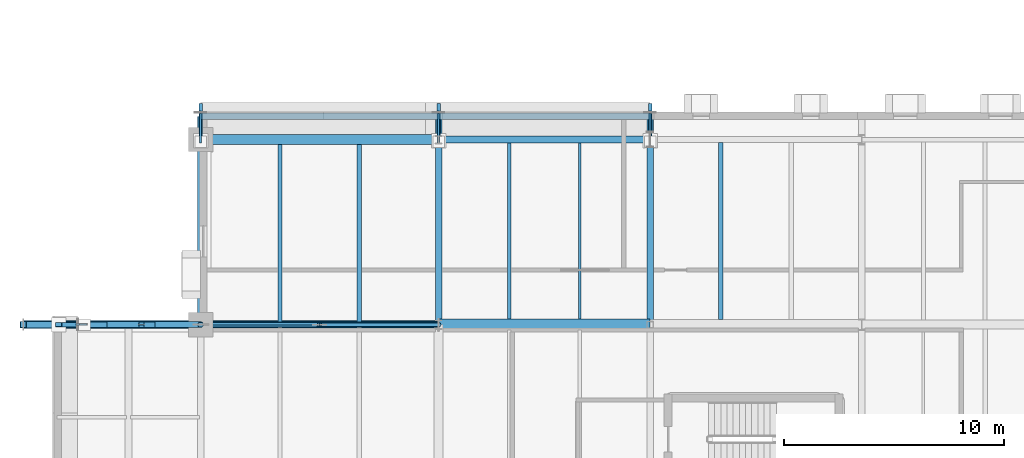
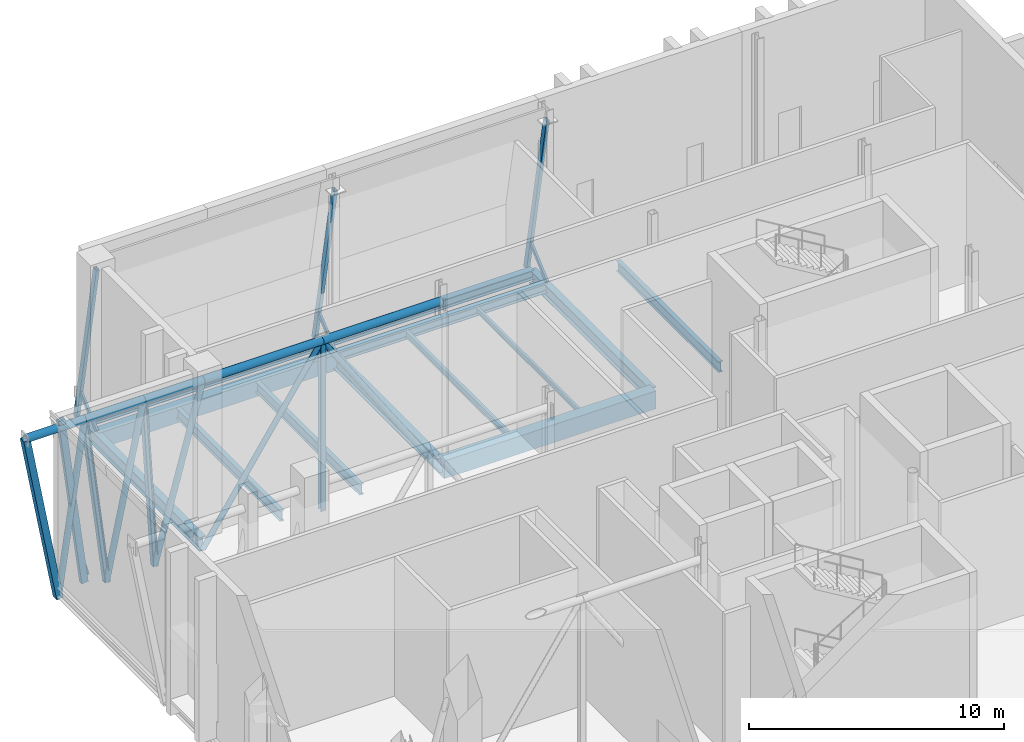
# One storey, part 22 of 79: 22 members, 13 beams.
"""IFC4 building model written with IfcOpenShell, lengths in metres."""

from ifc_helpers import new_model, si_unit, direction, frame, origin, origin_2d, place, context, subcontext, project, spatial, rectangle, hollow_rectangle, hollow_circle, i_section, extrude, material, material_profile, profile_set, type_object, element, save


model = new_model("IFC4")

# Units and contexts
model_context = context("Model", 3, precision=1e-05, world=origin(), true_north=direction((0.0, 1.0)))
body_context = subcontext(model_context, "Body", "Model", "MODEL_VIEW")
ifc_project = project(units=[si_unit("LENGTHUNIT", "METRE"), si_unit("AREAUNIT", "SQUARE_METRE"), si_unit("VOLUMEUNIT", "CUBIC_METRE"), si_unit("PLANEANGLEUNIT", "RADIAN"), si_unit("MASSUNIT", "GRAM", prefix="KILO")], contexts=[model_context])

# Site, building, storey
site_placement = place(None, origin())
site = spatial("IfcSite", under=ifc_project, at=site_placement, CompositionType="ELEMENT")
building_placement = place(site_placement, origin())
building = spatial("IfcBuilding", under=site, at=building_placement, Name="Zereglee Splitstone Museum", CompositionType="ELEMENT")
storey_placement = place(building_placement, frame((0.0, 0.0, 9.0)))
storey = spatial("IfcBuildingStorey", under=building, at=storey_placement, Name="L02", CompositionType="ELEMENT", Elevation=9.0)

# Beam
ifc_material_1 = material(Name="Concrete C40/50", Category="concrete")
ifc_material_profile_1 = material_profile(ifc_material_1, rectangle(XDim=0.5, YDim=0.85009765625, at=origin_2d()), Name="RC 500x850")
ifc_profile_set_1 = profile_set([ifc_material_profile_1], Name="Concrete C40/50")
beam_type_1 = type_object("IfcBeamType", Name="BG-02", PredefinedType="BEAM", material=ifc_profile_set_1)
beam_1_placement = place(storey_placement, frame((20.39990234375, 30.0, -0.7451171875), z_axis=(1.0, 0.0, 0.0), x_axis=(0.0, 1.0, 0.0)))
element("IfcBeam", 1, at=beam_1_placement, inside=storey, type_object=beam_type_1, Name="Primary Girder L02 D (20.4-30.0)", PredefinedType="BEAM", context=body_context, shape_type="SweptSolid", body=[
    extrude(rectangle(XDim=0.5, YDim=0.85009765625, at=origin_2d()), origin(), (0.0, 0.0, 1.0), 9.60009765625),
])

# Members
ifc_material_2 = material(Name="Steel S355J2H", Category="steel")
ifc_material_profile_2 = material_profile(ifc_material_2, hollow_circle(Radius=0.122314453125, WallThickness=0.012451171875, at=origin_2d()), Name="CHS 244.5x12.5")
ifc_profile_set_2 = profile_set([ifc_material_profile_2], Name="Steel S355J2H")
member_type_1 = type_object("IfcMemberType", Name="TB-02", PredefinedType="BRACE", material=ifc_profile_set_2)
for number, where, z_axis, x_axis, name in (
    (2, (9.60009765625, 30.0, -0.89990234375), (0.554700196225, 0.0, 0.832050294338), (0.0, 1.0, 0.0), "Cantilever Truss CT-04 Web Brace L02-4"),
    (3, (20.39990234375, 30.0, -0.89990234375), (-0.554700196225, 0.0, 0.832050294338), (0.0, -1.0, 0.0), "Cantilever Truss CT-04 Web Brace L02-5"),
):
    element("IfcMember", number, at=place(storey_placement, frame(where, z_axis=z_axis, x_axis=x_axis)), inside=storey, type_object=member_type_1, Name=name, PredefinedType="BRACE", context=body_context, shape_type="SweptSolid", body=[
        extrude(hollow_circle(Radius=0.122314453125, WallThickness=0.012451171875, at=origin_2d()), origin(), (0.0, 0.0, 1.0), 9.73486328125),
    ])
ifc_material_profile_3 = material_profile(ifc_material_2, hollow_circle(Radius=0.136474609375, WallThickness=0.012451171875, at=origin_2d()), Name="CHS 273.0x12.5")
ifc_profile_set_3 = profile_set([ifc_material_profile_3], Name="Steel S355J2H")
member_type_2 = type_object("IfcMemberType", Name="TB-01", PredefinedType="BRACE", material=ifc_profile_set_3)
member_1_placement = place(storey_placement, frame((3.050048828125, 30.0, -0.89990234375), z_axis=(0.144560595225, 0.0, 0.989495949617), x_axis=(0.0, 1.0, 0.0)))
element("IfcMember", 4, at=member_1_placement, inside=storey, type_object=member_type_2, Name="Cantilever Truss CT-04 Web Brace L02-1", PredefinedType="BRACE", context=body_context, shape_type="SweptSolid", body=[
    extrude(hollow_circle(Radius=0.136474609375, WallThickness=0.012451171875, at=origin_2d()), origin(), (0.0, 0.0, 1.0), 8.185791015625),
])
member_2_placement = place(storey_placement, frame((5.2333984375, 30.0, -0.89990234375), z_axis=(0.203476950416, 0.0, 0.979079736615), x_axis=(0.0, 1.0, 0.0)))
element("IfcMember", 5, at=member_2_placement, inside=storey, type_object=member_type_2, Name="Cantilever Truss CT-04 Web Brace L02-2", PredefinedType="BRACE", context=body_context, shape_type="SweptSolid", body=[
    extrude(hollow_circle(Radius=0.136474609375, WallThickness=0.012451171875, at=origin_2d()), origin(), (0.0, 0.0, 1.0), 8.27294921875),
])
member_3_placement = place(storey_placement, frame((7.416748046875, 30.0, -0.89990234375), z_axis=(0.260264648301, 0.0, 0.965537318204), x_axis=(0.0, 1.0, 0.0)))
element("IfcMember", 6, at=member_3_placement, inside=storey, type_object=member_type_2, Name="Cantilever Truss CT-04 Web Brace L02-3", PredefinedType="BRACE", context=body_context, shape_type="SweptSolid", body=[
    extrude(hollow_circle(Radius=0.136474609375, WallThickness=0.012451171875, at=origin_2d()), origin(), (0.0, 0.0, 1.0), 8.388916015625),
])
ifc_material_profile_4 = material_profile(ifc_material_2, hollow_circle(Radius=0.177734375, WallThickness=0.01611328125, at=origin_2d()), Name="CHS 355.6x16")
ifc_profile_set_4 = profile_set([ifc_material_profile_4], Name="Steel S355J2H")
member_type_3 = type_object("IfcMemberType", Name="TC-04", PredefinedType="CHORD", material=ifc_profile_set_4)
for number, where, z_axis, x_axis, name in (
    (7, (1.550048828125, 30.0, 7.199951171875), (1.0, 0.0, 0.0), (0.0, 1.0, 0.0), "Cantilever Truss CT-04 Top Chord L02-1"),
    (8, (4.2333984375, 30.0, 7.199951171875), (1.0, 0.0, 0.0), (0.0, 1.0, 0.0), "Cantilever Truss CT-04 Top Chord L02-2"),
    (9, (6.916748046875, 30.0, 7.199951171875), (1.0, 0.0, 0.0), (0.0, 1.0, 0.0), "Cantilever Truss CT-04 Top Chord L02-3"),
):
    element("IfcMember", number, at=place(storey_placement, frame(where, z_axis=z_axis, x_axis=x_axis)), inside=storey, type_object=member_type_3, Name=name, PredefinedType="CHORD", context=body_context, shape_type="SweptSolid", body=[
        extrude(hollow_circle(Radius=0.177734375, WallThickness=0.01611328125, at=origin_2d()), origin(), (0.0, 0.0, 1.0), 2.683349609375),
    ])
for number, where, z_axis, x_axis, name in (
    (10, (9.60009765625, 30.0, 7.199951171875), (1.0, 0.0, 0.0), (0.0, 1.0, 0.0), "Cantilever Truss CT-04 Top Chord L02-4"),
    (11, (15.0, 30.0, 7.199951171875), (1.0, 0.0, 0.0), (0.0, 1.0, 0.0), "Cantilever Truss CT-04 Top Chord L02-5"),
):
    element("IfcMember", number, at=place(storey_placement, frame(where, z_axis=z_axis, x_axis=x_axis)), inside=storey, type_object=member_type_3, Name=name, PredefinedType="CHORD", context=body_context, shape_type="SweptSolid", body=[
        extrude(hollow_circle(Radius=0.177734375, WallThickness=0.01611328125, at=origin_2d()), origin(), (0.0, 0.0, 1.0), 5.39990234375),
    ])

# Beams
ifc_material_3 = material(Name="Steel S355J2", Category="steel")
ifc_material_profile_5 = material_profile(ifc_material_3, i_section(OverallWidth=0.300048828125, OverallDepth=0.64990234375, WebThickness=0.01611328125, FlangeThickness=0.031005859375, FilletRadius=0.027099609375, at=origin_2d()), Name="HE 650 B")
ifc_profile_set_5 = profile_set([ifc_material_profile_5], Name="Steel S355J2")
beam_type_2 = type_object("IfcBeamType", Name="BG-09", PredefinedType="BEAM", material=ifc_profile_set_5)
for number, where, z_axis, x_axis, name in (
    (12, (9.60009765625, 30.0, -0.64501953125), (0.0, 1.0, 0.0), (-1.0, 0.0, 0.0), "Primary Girder L02 2 (30.0-39.5)"),
    (13, (20.39990234375, 30.0, -0.64501953125), (0.0, 1.0, 0.0), (-1.0, 0.0, 0.0), "Primary Girder L02 4 (30.0-39.5)"),
    (14, (30.0, 30.0, -0.64501953125), (0.0, 1.0, 0.0), (-1.0, 0.0, 0.0), "Primary Girder L02 5 (30.0-39.5)"),
):
    element("IfcBeam", number, at=place(storey_placement, frame(where, z_axis=z_axis, x_axis=x_axis)), inside=storey, type_object=beam_type_2, Name=name, PredefinedType="BEAM", context=body_context, shape_type="SweptSolid", body=[
        extrude(i_section(OverallWidth=0.300048828125, OverallDepth=0.64990234375, WebThickness=0.01611328125, FlangeThickness=0.031005859375, FilletRadius=0.027099609375, at=origin_2d()), origin(), (0.0, 0.0, 1.0), 9.449951171875),
    ])
ifc_material_profile_6 = material_profile(ifc_material_3, i_section(OverallWidth=0.1201171875, OverallDepth=0.239990234375, WebThickness=0.006103515625, FlangeThickness=0.009765625, FilletRadius=0.014892578125, at=origin_2d()), Name="IPE 240")
ifc_profile_set_6 = profile_set([ifc_material_profile_6], Name="Steel S355J2")
beam_type_3 = type_object("IfcBeamType", Name="BJ-07", PredefinedType="JOIST", material=ifc_profile_set_6)
beam_2_placement = place(storey_placement, frame((26.800048828125, 30.25, -0.43994140625), z_axis=(0.0, 1.0, 0.0), x_axis=(-1.0, 0.0, 0.0)))
element("IfcBeam", 15, at=beam_2_placement, inside=storey, type_object=beam_type_3, Name="Secondary Floor Joist L02-1098", PredefinedType="JOIST", context=body_context, shape_type="SweptSolid", body=[
    extrude(i_section(OverallWidth=0.1201171875, OverallDepth=0.239990234375, WebThickness=0.006103515625, FlangeThickness=0.009765625, FilletRadius=0.014892578125, at=origin_2d()), origin(), (0.0, 0.0, 1.0), 8.0),
])
ifc_material_profile_7 = material_profile(ifc_material_3, i_section(OverallWidth=0.14990234375, OverallDepth=0.300048828125, WebThickness=0.007080078125, FlangeThickness=0.0107421875, FilletRadius=0.014892578125, at=origin_2d()), Name="IPE 300")
ifc_profile_set_7 = profile_set([ifc_material_profile_7], Name="Steel S355J2")
beam_type_4 = type_object("IfcBeamType", Name="BJ-06", PredefinedType="JOIST", material=ifc_profile_set_7)
beam_3_placement = place(storey_placement, frame((23.60009765625, 30.25, -0.469970703125), z_axis=(0.0, 1.0, 0.0), x_axis=(-1.0, 0.0, 0.0)))
element("IfcBeam", 16, at=beam_3_placement, inside=storey, type_object=beam_type_4, Name="Secondary Floor Joist L02-1097", PredefinedType="JOIST", context=body_context, shape_type="SweptSolid", body=[
    extrude(i_section(OverallWidth=0.14990234375, OverallDepth=0.300048828125, WebThickness=0.007080078125, FlangeThickness=0.0107421875, FilletRadius=0.014892578125, at=origin_2d()), origin(), (0.0, 0.0, 1.0), 8.0),
])
ifc_material_profile_8 = material_profile(ifc_material_3, i_section(OverallWidth=0.199951171875, OverallDepth=0.5, WebThickness=0.01025390625, FlangeThickness=0.01611328125, FilletRadius=0.02099609375, at=origin_2d()), Name="IPE 500")
ifc_profile_set_8 = profile_set([ifc_material_profile_8], Name="Steel S355J2")
beam_type_5 = type_object("IfcBeamType", Name="BJ-01", PredefinedType="JOIST", material=ifc_profile_set_8)
for number, where, z_axis, x_axis, name in (
    (17, (13.199951171875, 30.0, -0.570068359375), (0.0, 1.0, 0.0), (-1.0, 0.0, 0.0), "Secondary Floor Joist L02-1095"),
    (18, (16.800048828125, 30.0, -0.570068359375), (0.0, 1.0, 0.0), (-1.0, 0.0, 0.0), "Secondary Floor Joist L02-1096"),
):
    element("IfcBeam", number, at=place(storey_placement, frame(where, z_axis=z_axis, x_axis=x_axis)), inside=storey, type_object=beam_type_5, Name=name, PredefinedType="JOIST", context=body_context, shape_type="SweptSolid", body=[
        extrude(i_section(OverallWidth=0.199951171875, OverallDepth=0.5, WebThickness=0.01025390625, FlangeThickness=0.01611328125, FilletRadius=0.02099609375, at=origin_2d()), origin(), (0.0, 0.0, 1.0), 8.175048828125),
    ])
beam_4_placement = place(storey_placement, frame((33.199951171875, 30.22509765625, -0.570068359375), z_axis=(0.0, 1.0, 0.0), x_axis=(-1.0, 0.0, 0.0)))
element("IfcBeam", 19, at=beam_4_placement, inside=storey, type_object=beam_type_5, Name="Secondary Floor Joist L02-1099", PredefinedType="JOIST", context=body_context, shape_type="SweptSolid", body=[
    extrude(i_section(OverallWidth=0.199951171875, OverallDepth=0.5, WebThickness=0.01025390625, FlangeThickness=0.01611328125, FilletRadius=0.02099609375, at=origin_2d()), origin(), (0.0, 0.0, 1.0), 8.034912109375),
])

# Members
ifc_material_profile_9 = material_profile(ifc_material_3, i_section(OverallWidth=0.239990234375, OverallDepth=0.239990234375, WebThickness=0.010009765625, FlangeThickness=0.01708984375, FilletRadius=0.02099609375, at=origin_2d()), Name="HE 240 B")
ifc_profile_set_9 = profile_set([ifc_material_profile_9], Name="Steel S355J2")
member_type_4 = type_object("IfcMemberType", Name="TP-02", PredefinedType="POST", material=ifc_profile_set_9)
member_4_placement = place(storey_placement, frame((5.2333984375, 30.0, -0.89990234375), z_axis=(-0.122528754606, 0.0, 0.992464963762), x_axis=(0.0, -1.0, 0.0)))
element("IfcMember", 20, at=member_4_placement, inside=storey, type_object=member_type_4, Name="Cantilever Truss CT-04 Post L02-2", PredefinedType="POST", context=body_context, shape_type="SweptSolid", body=[
    extrude(i_section(OverallWidth=0.239990234375, OverallDepth=0.239990234375, WebThickness=0.010009765625, FlangeThickness=0.01708984375, FilletRadius=0.02099609375, at=origin_2d()), origin(), (0.0, 0.0, 1.0), 8.161376953125),
])
member_5_placement = place(storey_placement, frame((7.416748046875, 30.0, -0.89990234375), z_axis=(-0.061612235308, 0.0, 0.998100161537), x_axis=(0.0, -1.0, 0.0)))
element("IfcMember", 21, at=member_5_placement, inside=storey, type_object=member_type_4, Name="Cantilever Truss CT-04 Post L02-3", PredefinedType="POST", context=body_context, shape_type="SweptSolid", body=[
    extrude(i_section(OverallWidth=0.239990234375, OverallDepth=0.239990234375, WebThickness=0.010009765625, FlangeThickness=0.01708984375, FilletRadius=0.02099609375, at=origin_2d()), origin(), (0.0, 0.0, 1.0), 8.115234375),
])
member_6_placement = place(storey_placement, frame((15.0, 30.0, -0.89990234375), z_axis=(0.0, 0.0, 1.0), x_axis=(1.0, 0.0, 0.0)))
element("IfcMember", 22, at=member_6_placement, inside=storey, type_object=member_type_4, Name="Cantilever Truss CT-04 Post L02-4", PredefinedType="POST", context=body_context, shape_type="SweptSolid", body=[
    extrude(i_section(OverallWidth=0.239990234375, OverallDepth=0.239990234375, WebThickness=0.010009765625, FlangeThickness=0.01708984375, FilletRadius=0.02099609375, at=origin_2d()), origin(), (0.0, 0.0, 1.0), 8.099853515625),
])
ifc_material_profile_10 = material_profile(ifc_material_2, hollow_rectangle(XDim=0.300048828125, YDim=0.300048828125, WallThickness=0.01611328125, at=origin_2d()), Name="SHS 300x300x16")
ifc_profile_set_10 = profile_set([ifc_material_profile_10], Name="Steel S355J2H")
member_type_5 = type_object("IfcMemberType", Name="TP-01", PredefinedType="POST", material=ifc_profile_set_10)
member_7_placement = place(storey_placement, frame((3.050048828125, 30.0, -0.89990234375), z_axis=(-0.182092444044, 0.0, 0.983281415375), x_axis=(0.0, -1.0, 0.0)))
element("IfcMember", 23, at=member_7_placement, inside=storey, type_object=member_type_5, Name="Cantilever Truss CT-04 Post L02-1", PredefinedType="POST", context=body_context, shape_type="SweptSolid", body=[
    extrude(hollow_rectangle(XDim=0.300048828125, YDim=0.300048828125, WallThickness=0.01611328125, at=origin_2d()), origin(), (0.0, 0.0, 1.0), 8.237548828125),
])

# Beams
ifc_material_profile_11 = material_profile(ifc_material_3, i_section(OverallWidth=0.300048828125, OverallDepth=0.449951171875, WebThickness=0.013916015625, FlangeThickness=0.02587890625, FilletRadius=0.027099609375, at=origin_2d()), Name="HE 450 B")
ifc_profile_set_11 = profile_set([ifc_material_profile_11], Name="Steel S355J2")
beam_type_6 = type_object("IfcBeamType", Name="SP-02", PredefinedType="SPANDREL", material=ifc_profile_set_11)
beam_5_placement = place(storey_placement, frame((20.39990234375, 38.39990234375, -0.544921875), z_axis=(1.0, 0.0, 0.0), x_axis=(0.0, 1.0, 0.0)))
element("IfcBeam", 24, at=beam_5_placement, inside=storey, type_object=beam_type_6, Name="Primary Girder L02 E (20.4-30.0)", PredefinedType="SPANDREL", context=body_context, shape_type="SweptSolid", body=[
    extrude(i_section(OverallWidth=0.300048828125, OverallDepth=0.449951171875, WebThickness=0.013916015625, FlangeThickness=0.02587890625, FilletRadius=0.027099609375, at=origin_2d()), origin(), (0.0, 0.0, 1.0), 9.60009765625),
])
beam_6_placement = place(storey_placement, frame((9.60009765625, 39.449951171875, -0.544921875), z_axis=(1.0, 0.0, 0.0), x_axis=(0.0, 1.0, 0.0)))
element("IfcBeam", 25, at=beam_6_placement, inside=storey, type_object=beam_type_6, Name="Hovering Soffit Spandrel L02 (9.6-20.4)", PredefinedType="SPANDREL", context=body_context, shape_type="SweptSolid", body=[
    extrude(i_section(OverallWidth=0.300048828125, OverallDepth=0.449951171875, WebThickness=0.013916015625, FlangeThickness=0.02587890625, FilletRadius=0.027099609375, at=origin_2d()), origin(), (0.0, 0.0, 1.0), 10.7998046875),
])
beam_7_placement = place(storey_placement, frame((20.39990234375, 39.449951171875, -0.544921875), z_axis=(1.0, 0.0, 0.0), x_axis=(0.0, 1.0, 0.0)))
element("IfcBeam", 26, at=beam_7_placement, inside=storey, type_object=beam_type_6, Name="Hovering Soffit Spandrel L02 (20.4-30.0)", PredefinedType="SPANDREL", context=body_context, shape_type="SweptSolid", body=[
    extrude(i_section(OverallWidth=0.300048828125, OverallDepth=0.449951171875, WebThickness=0.013916015625, FlangeThickness=0.02587890625, FilletRadius=0.027099609375, at=origin_2d()), origin(), (0.0, 0.0, 1.0), 9.60009765625),
])
ifc_material_profile_12 = material_profile(ifc_material_1, rectangle(XDim=0.449951171875, YDim=0.75, at=origin_2d()), Name="RC 450x750")
ifc_profile_set_12 = profile_set([ifc_material_profile_12], Name="Concrete C40/50")
beam_type_7 = type_object("IfcBeamType", Name="SP-01", PredefinedType="SPANDREL", material=ifc_profile_set_12)
beam_8_placement = place(storey_placement, frame((9.60009765625, 38.39990234375, -0.695068359375), z_axis=(1.0, 0.0, 0.0), x_axis=(0.0, 1.0, 0.0)))
element("IfcBeam", 27, at=beam_8_placement, inside=storey, type_object=beam_type_7, Name="Primary Girder L02 E (9.6-20.4)", PredefinedType="SPANDREL", context=body_context, shape_type="SweptSolid", body=[
    extrude(rectangle(XDim=0.449951171875, YDim=0.75, at=origin_2d()), origin(), (0.0, 0.0, 1.0), 10.7998046875),
])

# Members
ifc_material_profile_13 = material_profile(ifc_material_2, hollow_rectangle(XDim=0.14990234375, YDim=0.25, WallThickness=0.010009765625, at=origin_2d()), Name="RHS 250x150x10")
ifc_profile_set_13 = profile_set([ifc_material_profile_13], Name="Steel S355J2H")
member_type_6 = type_object("IfcMemberType", Name="FS-R2", PredefinedType="STRUT", material=ifc_profile_set_13)
for number, where, z_axis, x_axis, name in (
    (28, (9.60009765625, 39.91552734375, -0.570068359375), (0.0, -0.190771646737, 0.98163444255), (1.0, 0.0, 0.0), "Split-Rock Continuous Facet Strut FH-V1NL-N L02-01"),
    (29, (20.39990234375, 39.91552734375, -0.570068359375), (0.0, -0.190771646737, 0.98163444255), (1.0, 0.0, 0.0), "Split-Rock Continuous Facet Strut FH-V1NL-N L02-02"),
    (30, (30.0, 39.91552734375, -0.570068359375), (0.0, -0.190771646737, 0.98163444255), (1.0, 0.0, 0.0), "Split-Rock Continuous Facet Strut FH-V1NL-N L02-03"),
):
    element("IfcMember", number, at=place(storey_placement, frame(where, z_axis=z_axis, x_axis=x_axis)), inside=storey, type_object=member_type_6, Name=name, PredefinedType="STRUT", context=body_context, shape_type="SweptSolid", body=[
        extrude(hollow_rectangle(XDim=0.14990234375, YDim=0.25, WallThickness=0.010009765625, at=origin_2d()), origin(), (0.0, 0.0, 1.0), 8.20068359375),
    ])
ifc_material_profile_14 = material_profile(ifc_material_2, hollow_rectangle(XDim=0.199951171875, YDim=0.300048828125, WallThickness=0.012451171875, at=origin_2d()), Name="RHS 300x200x12.5")
ifc_profile_set_14 = profile_set([ifc_material_profile_14], Name="Steel S355J2H")
member_type_7 = type_object("IfcMemberType", Name="FS-R1", PredefinedType="STRUT", material=ifc_profile_set_14)
member_8_placement = place(storey_placement, frame((4.210693359375, 30.0, -0.570068359375), z_axis=(-0.128375261383, 0.0, 0.991725663813), x_axis=(0.0, -1.0, 0.0)))
element("IfcMember", 31, at=member_8_placement, inside=storey, type_object=member_type_7, Name="Split-Rock Continuous Facet Strut FH-V1W-N L02-02", PredefinedType="STRUT", context=body_context, shape_type="SweptSolid", body=[
    extrude(hollow_rectangle(XDim=0.199951171875, YDim=0.300048828125, WallThickness=0.012451171875, at=origin_2d()), origin(), (0.0, 0.0, 1.0), 8.2080078125),
])
ifc_material_profile_15 = material_profile(ifc_material_2, hollow_rectangle(XDim=0.10009765625, YDim=0.179931640625, WallThickness=0.008056640625, at=origin_2d()), Name="RHS 180x100x8")
ifc_profile_set_15 = profile_set([ifc_material_profile_15], Name="Steel S355J2H")
member_type_8 = type_object("IfcMemberType", Name="FS-T2", PredefinedType="STRUT", material=ifc_profile_set_15)
member_9_placement = place(storey_placement, frame((4.35009765625, 30.0, -0.280029296875), z_axis=(-0.271455353468, 0.0, 0.962451033078), x_axis=(0.0, -1.0, 0.0)))
element("IfcMember", 32, at=member_9_placement, inside=storey, type_object=member_type_8, Name="Facet Tie-Back Strut FH-V1W-N L02-02", PredefinedType="STRUT", context=body_context, shape_type="SweptSolid", body=[
    extrude(hollow_rectangle(XDim=0.10009765625, YDim=0.179931640625, WallThickness=0.008056640625, at=origin_2d()), origin(), (0.0, 0.0, 1.0), 1.205078125),
])
for number, where, z_axis, x_axis, name in (
    (33, (9.60009765625, 38.300048828125, -0.280029296875), (0.0, 0.754507375088, 0.656291567017), (-1.0, 0.0, 0.0), "Facet Tie-Back Strut FH-V1NL-N L02-01"),
    (34, (20.39990234375, 38.300048828125, -0.280029296875), (0.0, 0.754507375088, 0.656291567017), (-1.0, 0.0, 0.0), "Facet Tie-Back Strut FH-V1NL-N L02-02"),
    (35, (30.0, 38.300048828125, -0.280029296875), (0.0, 0.754507375088, 0.656291567017), (-1.0, 0.0, 0.0), "Facet Tie-Back Strut FH-V1NL-N L02-03"),
):
    element("IfcMember", number, at=place(storey_placement, frame(where, z_axis=z_axis, x_axis=x_axis)), inside=storey, type_object=member_type_8, Name=name, PredefinedType="STRUT", context=body_context, shape_type="SweptSolid", body=[
        extrude(hollow_rectangle(XDim=0.10009765625, YDim=0.179931640625, WallThickness=0.008056640625, at=origin_2d()), origin(), (0.0, 0.0, 1.0), 1.767333984375),
    ])

save(model, "model.ifc")
